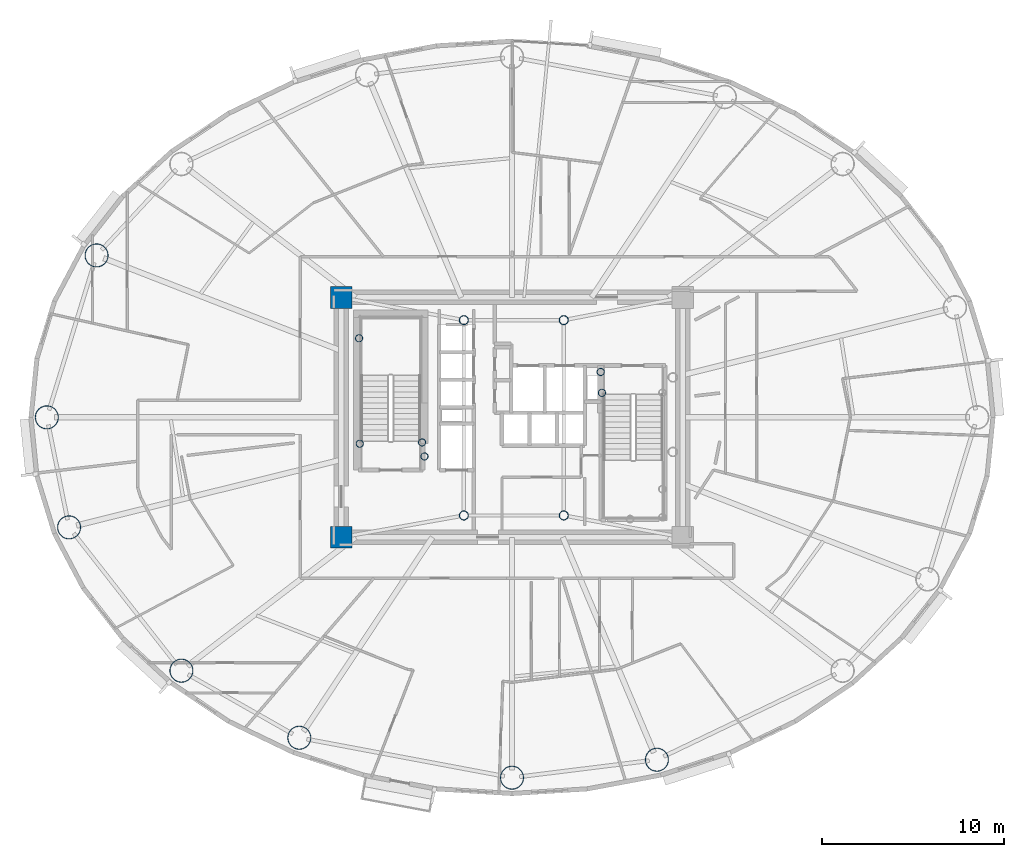
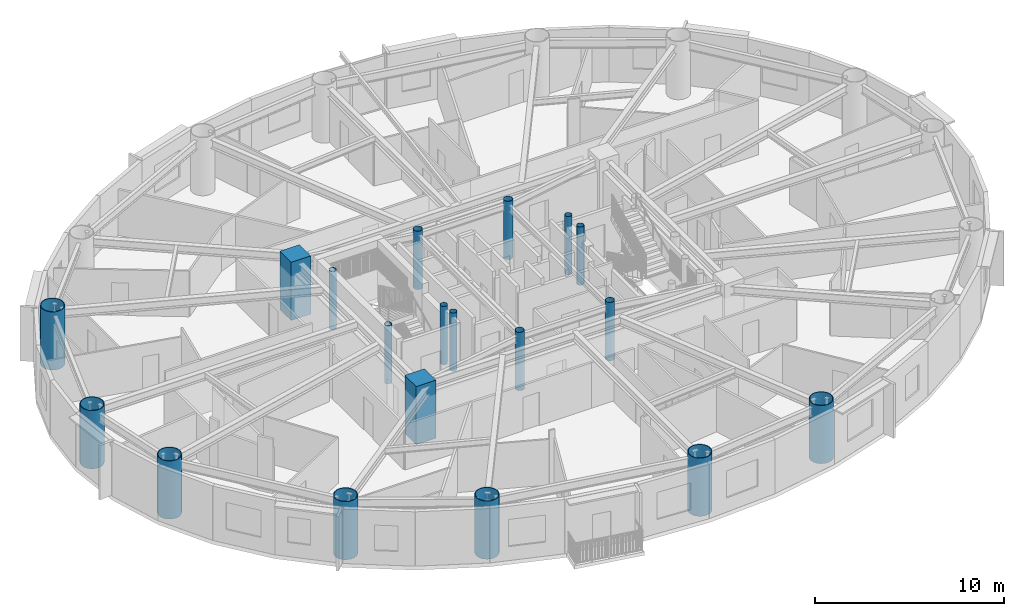
# One storey, part 1 of 17: 19 columns.
"""IFC4 building model written with IfcOpenShell, lengths in metres."""

from ifc_helpers import new_model, si_unit, direction, frame, origin, origin_2d, place, context, subcontext, project, spatial, rectangle, hollow_circle, extrude, material, material_profile, profile_set, type_object, element, save


model = new_model("IFC4")

# Units and contexts
model_context = context("Model", 3, precision=1e-05, world=origin(), true_north=direction((0.0, 1.0)))
body_context = subcontext(model_context, "Body", "Model", "MODEL_VIEW")
ifc_project = project(units=[si_unit("LENGTHUNIT", "METRE"), si_unit("AREAUNIT", "SQUARE_METRE"), si_unit("VOLUMEUNIT", "CUBIC_METRE"), si_unit("PLANEANGLEUNIT", "RADIAN"), si_unit("MASSUNIT", "GRAM", prefix="KILO")], contexts=[model_context])

# Site, building, storey
site_placement = place(None, origin())
site = spatial("IfcSite", under=ifc_project, at=site_placement, CompositionType="ELEMENT")
building_placement = place(site_placement, origin())
building = spatial("IfcBuilding", under=site, at=building_placement, Name="Linh Dai School and Residence Tower", CompositionType="ELEMENT")
storey_placement = place(building_placement, frame((0.0, 0.0, 182.39990234375)))
storey = spatial("IfcBuildingStorey", under=building, at=storey_placement, Name="L44", CompositionType="ELEMENT", Elevation=182.39990234375)

# Columns
ifc_material_1 = material(Name="Concrete B60 (C50/60)", Category="concrete")
ifc_material_profile_1 = material_profile(ifc_material_1, rectangle(XDim=1.199951171875, YDim=1.199951171875, at=origin_2d()), Name="RC 1200x1200")
ifc_profile_set_1 = profile_set([ifc_material_profile_1], Name="Concrete B60 (C50/60)")
column_type_1 = type_object("IfcColumnType", Name="COL-CC2", PredefinedType="COLUMN", material=ifc_profile_set_1)
for number, where, z_axis, x_axis, name in (
    (1, (26.60009765625, 20.39990234375, 0.0), (0.0, 0.0, 1.0), (1.0, 0.0, 0.0), "L44 Core Corner Pier CC1"),
    (2, (26.60009765625, 33.60009765625, 0.0), (0.0, 0.0, 1.0), (1.0, 0.0, 0.0), "L44 Core Corner Pier CC4"),
):
    element("IfcColumn", number, at=place(storey_placement, frame(where, z_axis=z_axis, x_axis=x_axis)), inside=storey, type_object=column_type_1, Name=name, PredefinedType="COLUMN", context=body_context, shape_type="SweptSolid", body=[
        extrude(rectangle(XDim=1.199951171875, YDim=1.199951171875, at=origin_2d()), origin(), (0.0, 0.0, 1.0), 3.75),
    ])
ifc_material_2 = material(Name="Structural Steel S355JR", Category="steel")
ifc_material_profile_2 = material_profile(ifc_material_2, hollow_circle(Radius=0.203125, WallThickness=0.01611328125, at=origin_2d()), Name="CHS 406.4x16")
ifc_profile_set_2 = profile_set([ifc_material_profile_2], Name="Structural Steel S355JR")
column_type_2 = type_object("IfcColumnType", Name="COL-EC", PredefinedType="COLUMN", material=ifc_profile_set_2)
for number, where, z_axis, x_axis, name in (
    (3, (27.580078125, 31.35009765625, 0.0), (0.0, 0.0, 1.0), (1.0, 0.0, 0.0), "L44 Stair Shaft Landing Support Pier ST1NW"),
    (4, (31.050048828125, 25.6201171875, 0.0), (0.0, 0.0, 1.0), (1.0, 0.0, 0.0), "L44 Stair Shaft Landing Support Pier ST1SE"),
    (5, (31.179931640625, 24.85009765625, 0.0), (0.0, 0.0, 1.0), (1.0, 0.0, 0.0), "L44 Stair Shaft Landing Support Pier ST1SM"),
    (6, (27.6201171875, 25.550048828125, 0.0), (0.0, 0.0, 1.0), (1.0, 0.0, 0.0), "L44 Stair Shaft Landing Support Pier ST1SW"),
    (7, (40.949951171875, 28.35009765625, 0.0), (0.0, 0.0, 1.0), (1.0, 0.0, 0.0), "L44 Stair Shaft Landing Support Pier ST2N1"),
    (8, (40.8798828125, 29.5, 0.0), (0.0, 0.0, 1.0), (1.0, 0.0, 0.0), "L44 Stair Shaft Landing Support Pier ST2N3"),
):
    element("IfcColumn", number, at=place(storey_placement, frame(where, z_axis=z_axis, x_axis=x_axis)), inside=storey, type_object=column_type_2, Name=name, PredefinedType="COLUMN", context=body_context, shape_type="SweptSolid", body=[
        extrude(hollow_circle(Radius=0.203125, WallThickness=0.01611328125, at=origin_2d()), origin(), (0.0, 0.0, 1.0), 3.75),
    ])
ifc_material_profile_3 = material_profile(ifc_material_2, hollow_circle(Radius=0.64990234375, WallThickness=0.0400390625, at=origin_2d()), Name="CHS 1300x40")
ifc_profile_set_3 = profile_set([ifc_material_profile_3], Name="Structural Steel S355JR")
column_type_3 = type_object("IfcColumnType", Name="COL-MC4", PredefinedType="COLUMN", material=ifc_profile_set_3)
for number, where, z_axis, x_axis, name in (
    (9, (13.137451171875, 35.9111328125, 0.0), (0.0, 0.0, 1.0), (1.0, 0.0, 0.0), "L44 Perimeter CFT Mega-Column MC08"),
    (10, (10.39990234375, 27.0, 0.0), (0.0, 0.0, 1.0), (1.0, 0.0, 0.0), "L44 Perimeter CFT Mega-Column MC09"),
    (11, (11.62548828125, 20.946533203125, 0.0), (0.0, 0.0, 1.0), (1.0, 0.0, 0.0), "L44 Perimeter CFT Mega-Column MC10"),
    (12, (17.8076171875, 13.058349609375, 0.0), (0.0, 0.0, 1.0), (1.0, 0.0, 0.0), "L44 Perimeter CFT Mega-Column MC11"),
    (13, (24.29443359375, 9.369140625, 0.0), (0.0, 0.0, 1.0), (1.0, 0.0, 0.0), "L44 Perimeter CFT Mega-Column MC12"),
    (14, (36.0, 7.169921875, 0.0), (0.0, 0.0, 1.0), (1.0, 0.0, 0.0), "L44 Perimeter CFT Mega-Column MC13"),
    (15, (43.973388671875, 8.15869140625, 0.0), (0.0, 0.0, 1.0), (1.0, 0.0, 0.0), "L44 Perimeter CFT Mega-Column MC14"),
):
    element("IfcColumn", number, at=place(storey_placement, frame(where, z_axis=z_axis, x_axis=x_axis)), inside=storey, type_object=column_type_3, Name=name, PredefinedType="COLUMN", context=body_context, shape_type="SweptSolid", body=[
        extrude(hollow_circle(Radius=0.64990234375, WallThickness=0.0400390625, at=origin_2d()), origin(), (0.0, 0.0, 1.0), 3.75),
    ])
ifc_material_profile_4 = material_profile(ifc_material_2, hollow_circle(Radius=0.25390625, WallThickness=0.02001953125, at=origin_2d()), Name="CHS 508x20")
ifc_profile_set_4 = profile_set([ifc_material_profile_4], Name="Structural Steel S355JR")
column_type_4 = type_object("IfcColumnType", Name="COL-MCP", PredefinedType="COLUMN", material=ifc_profile_set_4)
for number, where, z_axis, x_axis, name in (
    (16, (33.35009765625, 21.60009765625, 0.0), (0.0, 0.0, 1.0), (1.0, 0.0, 0.0), "L44 Core Mast Support Pier MCP1"),
    (17, (38.85009765625, 21.60009765625, 0.0), (0.0, 0.0, 1.0), (1.0, 0.0, 0.0), "L44 Core Mast Support Pier MCP2"),
    (18, (38.85009765625, 32.35009765625, 0.0), (0.0, 0.0, 1.0), (1.0, 0.0, 0.0), "L44 Core Mast Support Pier MCP3"),
    (19, (33.35009765625, 32.35009765625, 0.0), (0.0, 0.0, 1.0), (1.0, 0.0, 0.0), "L44 Core Mast Support Pier MCP4"),
):
    element("IfcColumn", number, at=place(storey_placement, frame(where, z_axis=z_axis, x_axis=x_axis)), inside=storey, type_object=column_type_4, Name=name, PredefinedType="COLUMN", context=body_context, shape_type="SweptSolid", body=[
        extrude(hollow_circle(Radius=0.25390625, WallThickness=0.02001953125, at=origin_2d()), origin(), (0.0, 0.0, 1.0), 3.75),
    ])

save(model, "model.ifc")
